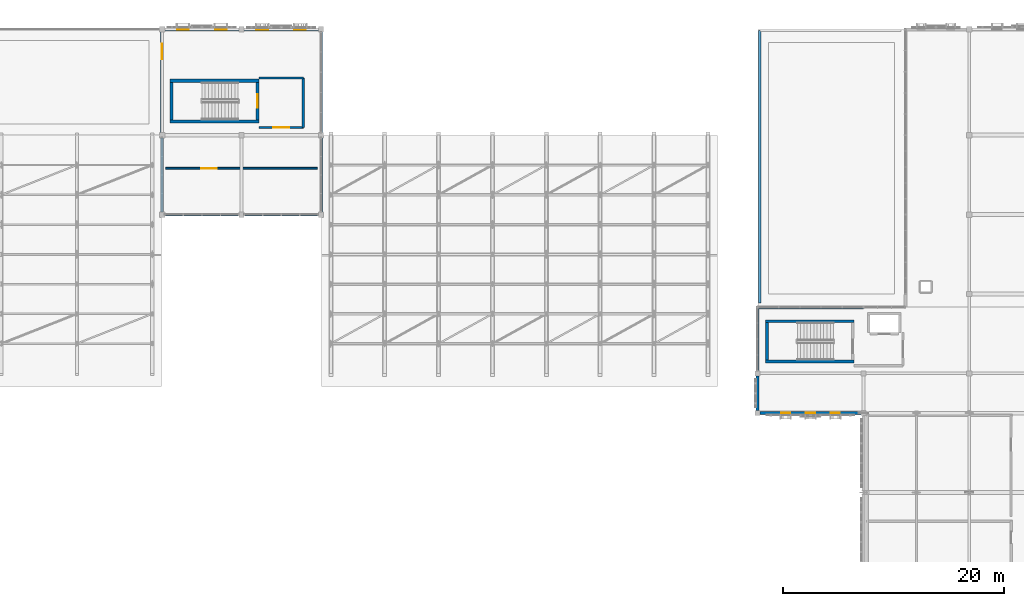
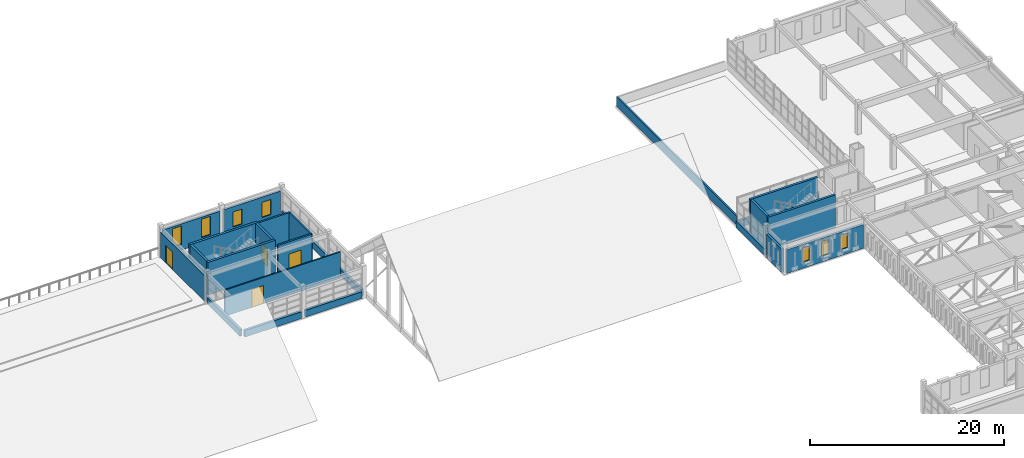
# One storey, part 50 of 79: 24 walls, 7 windows, 4 doors, 11 openings.
"""IFC4 building model written with IfcOpenShell, lengths in metres."""

from ifc_helpers import new_model, si_unit, direction, frame, frame_2d, origin, place, context, subcontext, project, spatial, rectangle, extrude, material, layer, layer_set, type_object, element, fill, save


model = new_model("IFC4")

# Units and contexts
model_context = context("Model", 3, precision=1e-05, world=origin(), true_north=direction((0.0, 1.0)))
body_context = subcontext(model_context, "Body", "Model", "MODEL_VIEW")
ifc_project = project(units=[si_unit("LENGTHUNIT", "METRE"), si_unit("AREAUNIT", "SQUARE_METRE"), si_unit("VOLUMEUNIT", "CUBIC_METRE"), si_unit("PLANEANGLEUNIT", "RADIAN"), si_unit("MASSUNIT", "GRAM", prefix="KILO")], contexts=[model_context])

# Site, building, storey
site_placement = place(None, origin())
site = spatial("IfcSite", under=ifc_project, at=site_placement, CompositionType="ELEMENT")
building_placement = place(site_placement, origin())
building = spatial("IfcBuilding", under=site, at=building_placement, Name="Nzembalo Square Collegiate School", CompositionType="ELEMENT")
storey_placement = place(building_placement, frame((0.0, 0.0, 9.52001953125)))
storey = spatial("IfcBuildingStorey", under=building, at=storey_placement, Name="L02", CompositionType="ELEMENT", Elevation=9.52001953125)

# Walls
ifc_material_1 = material(Name="Concrete C35/45", Category="concrete")
ifc_layer_1 = layer(ifc_material_1, 0.280029296875, Name="Concrete C35/45")
ifc_layer_set_1 = layer_set([ifc_layer_1], Name="Concrete C35/45")
wall_type_1 = type_object("IfcWallType", Name="SW03", PredefinedType="SHEAR", material=ifc_layer_set_1)
wall_1_placement = place(storey_placement, frame((77.659912109375, 105.800048828125, 0.0), z_axis=(0.0, 0.0, 1.0), x_axis=(0.0, 1.0, 0.0)))
element("IfcWall", 1, at=wall_1_placement, inside=storey, type_object=wall_type_1, Name="Core C3 stair shear wall W L02", PredefinedType="SHEAR", context=body_context, shape_type="SweptSolid", body=[
    extrude(rectangle(XDim=3.39990234375, YDim=0.280029296875, at=frame_2d((1.699951171875, 0.0))), origin(), (0.0, 0.0, 1.0), 4.080078125),
])
for number, where, z_axis, x_axis, name in (
    (2, (77.52001953125, 105.659912109375, 0.0), (0.0, 0.0, 1.0), (1.0, 0.0, 0.0), "Core C3 stair shear wall S L02"),
    (3, (77.52001953125, 109.340087890625, 0.0), (0.0, 0.0, 1.0), (1.0, 0.0, 0.0), "Core C3 stair shear wall N L02"),
):
    element("IfcWall", number, at=place(storey_placement, frame(where, z_axis=z_axis, x_axis=x_axis)), inside=storey, type_object=wall_type_1, Name=name, PredefinedType="SHEAR", context=body_context, shape_type="SweptSolid", body=[
        extrude(rectangle(XDim=8.06005859375, YDim=0.280029296875, at=frame_2d((4.030029296875, 0.0))), origin(), (0.0, 0.0, 1.0), 4.080078125),
    ])

# Wall, opening, door
wall_2_placement = place(storey_placement, frame((85.43994140625, 105.800048828125, 0.0), z_axis=(0.0, 0.0, 1.0), x_axis=(0.0, 1.0, 0.0)))
wall_2 = element("IfcWall", 4, at=wall_2_placement, inside=storey, type_object=wall_type_1, Name="Core C3 stair shear wall E L02", PredefinedType="SHEAR", context=body_context, shape_type="SweptSolid", body=[
    extrude(rectangle(XDim=3.39990234375, YDim=0.280029296875, at=frame_2d((1.699951171875, 0.0))), origin(), (0.0, 0.0, 1.0), 4.080078125),
])
opening_1_placement = place(wall_2_placement, frame((1.10009765625, 0.0, 0.0)))
opening_1 = element("IfcOpeningElement", 5, at=opening_1_placement, cuts=wall_2, Name="Opening FD-027", PredefinedType="OPENING", context=body_context, shape_type="SweptSolid", body=[
    extrude(rectangle(XDim=1.199951171875, YDim=2.199951171875, at=frame_2d((0.60009765625, 1.10009765625))), frame((0.0, 0.14990234375, 0.0), z_axis=(0.0, -1.0, 0.0), x_axis=(1.0, 0.0, 0.0)), (0.0, 0.0, 1.0), 0.300048828125),
])
ifc_material_2 = material(Name="Fire-rated steel acoustic door", Category="steel")
door_type_1 = type_object("IfcDoorType", Name="FD01", OperationType="NOTDEFINED", PredefinedType="DOOR", material=ifc_material_2)
door_1_placement = place(opening_1_placement, origin())
door_1 = element("IfcDoor", 6, at=door_1_placement, inside=storey, type_object=door_type_1, Name="Stair fire door FD-027", OperationType="SINGLE_SWING_LEFT", OverallHeight=2.199951171875, OverallWidth=1.199951171875, PredefinedType="DOOR", context=body_context, shape_type="SweptSolid", body=[
    extrude(rectangle(XDim=1.199951171875, YDim=2.199951171875, at=frame_2d((0.60009765625, 1.10009765625))), frame((0.0, 0.02490234375, 0.0), z_axis=(0.0, -1.0, 0.0), x_axis=(1.0, 0.0, 0.0)), (0.0, 0.0, 1.0), 0.050048828125),
])
fill(opening_1, door_1)

# Walls
ifc_material_3 = material(Name="Concrete C35/45", Category="concrete")
ifc_layer_2 = layer(ifc_material_3, 0.260009765625, Name="Concrete C35/45")
ifc_layer_set_2 = layer_set([ifc_layer_2], Name="Concrete C35/45")
wall_type_2 = type_object("IfcWallType", Name="SW04", PredefinedType="SHEAR", material=ifc_layer_set_2)
wall_3_placement = place(storey_placement, frame((131.669921875, 84.0, 0.0), z_axis=(0.0, 0.0, 1.0), x_axis=(0.0, 1.0, 0.0)))
element("IfcWall", 7, at=wall_3_placement, inside=storey, type_object=wall_type_2, Name="Core C4 stair shear wall W L02", PredefinedType="SHEAR", context=body_context, shape_type="SweptSolid", body=[
    extrude(rectangle(XDim=3.39990234375, YDim=0.260009765625, at=frame_2d((1.699951171875, 0.0))), origin(), (0.0, 0.0, 1.0), 4.080078125),
])
for number, where, z_axis, x_axis, name in (
    (8, (131.5400390625, 83.8701171875, 0.0), (0.0, 0.0, 1.0), (1.0, 0.0, 0.0), "Core C4 stair shear wall S L02"),
    (9, (131.5400390625, 87.530029296875, 0.0), (0.0, 0.0, 1.0), (1.0, 0.0, 0.0), "Core C4 stair shear wall N L02"),
):
    element("IfcWall", number, at=place(storey_placement, frame(where, z_axis=z_axis, x_axis=x_axis)), inside=storey, type_object=wall_type_2, Name=name, PredefinedType="SHEAR", context=body_context, shape_type="SweptSolid", body=[
        extrude(rectangle(XDim=8.02001953125, YDim=0.260009765625, at=frame_2d((4.010009765625, 0.0))), origin(), (0.0, 0.0, 1.0), 4.080078125),
    ])

# Wall, openings, windows
ifc_material_4 = material(Name="Concrete C30/37", Category="concrete")
ifc_layer_3 = layer(ifc_material_4, 0.284912109375, Name="Concrete C30/37")
ifc_layer_set_3 = layer_set([ifc_layer_3], Name="Concrete C30/37")
wall_type_3 = type_object("IfcWallType", Name="W05", PredefinedType="SOLIDWALL", material=ifc_layer_set_3)
wall_4_placement = place(storey_placement, frame((131.0419921875, 79.199951171875, 0.0), z_axis=(0.0, 0.0, 1.0), x_axis=(1.0, 0.0, 0.0)))
wall_4 = element("IfcWall", 10, at=wall_4_placement, inside=storey, type_object=wall_type_3, Name="Exterior wall W05 L02", PredefinedType="SOLIDWALL", context=body_context, shape_type="SweptSolid", body=[
    extrude(rectangle(XDim=9.115966796875, YDim=0.284912109375, at=frame_2d((4.55810546875, 0.0))), origin(), (0.0, 0.0, 1.0), 2.97900390625),
])
opening_2_placement = place(wall_4_placement, frame((1.884033203125, 0.0, 0.75)))
opening_2 = element("IfcOpeningElement", 11, at=opening_2_placement, cuts=wall_4, Name="Opening WN-L02-408", PredefinedType="OPENING", context=body_context, shape_type="SweptSolid", body=[
    extrude(rectangle(XDim=0.820068359375, YDim=1.820068359375, at=frame_2d((0.41015625, 0.91015625))), frame((0.0, 0.15234375, 0.0), z_axis=(0.0, -1.0, 0.0), x_axis=(1.0, 0.0, 0.0)), (0.0, 0.0, 1.0), 0.304931640625),
])
opening_3_placement = place(wall_4_placement, frame((4.14794921875, 0.0, 0.75)))
opening_3 = element("IfcOpeningElement", 12, at=opening_3_placement, cuts=wall_4, Name="Opening WN-L02-409", PredefinedType="OPENING", context=body_context, shape_type="SweptSolid", body=[
    extrude(rectangle(XDim=0.820068359375, YDim=1.820068359375, at=frame_2d((0.41015625, 0.91015625))), frame((0.0, 0.15234375, 0.0), z_axis=(0.0, -1.0, 0.0), x_axis=(1.0, 0.0, 0.0)), (0.0, 0.0, 1.0), 0.304931640625),
])
opening_4_placement = place(wall_4_placement, frame((6.412109375, 0.0, 0.75)))
opening_4 = element("IfcOpeningElement", 13, at=opening_4_placement, cuts=wall_4, Name="Opening WN-L02-410", PredefinedType="OPENING", context=body_context, shape_type="SweptSolid", body=[
    extrude(rectangle(XDim=0.820068359375, YDim=1.820068359375, at=frame_2d((0.41015625, 0.91015625))), frame((0.0, 0.15234375, 0.0), z_axis=(0.0, -1.0, 0.0), x_axis=(1.0, 0.0, 0.0)), (0.0, 0.0, 1.0), 0.304931640625),
])
ifc_material_5 = material(Name="Powder-coated aluminium and low-E double glazing", Category="aluminium")
window_type_1 = type_object("IfcWindowType", Name="WN39", PartitioningType="SINGLE_PANEL", PredefinedType="WINDOW", material=ifc_material_5)
window_1_placement = place(opening_2_placement, origin())
window_1 = element("IfcWindow", 14, at=window_1_placement, inside=storey, type_object=window_type_1, Name="Lancet window WN-L02-408", OverallHeight=1.820068359375, OverallWidth=0.820068359375, PartitioningType="SINGLE_PANEL", PredefinedType="WINDOW", context=body_context, shape_type="SweptSolid", body=[
    extrude(rectangle(XDim=0.820068359375, YDim=1.820068359375, at=frame_2d((0.41015625, 0.91015625))), frame((0.0, 0.030029296875, 0.0), z_axis=(0.0, -1.0, 0.0), x_axis=(1.0, 0.0, 0.0)), (0.0, 0.0, 1.0), 0.06005859375),
])
fill(opening_2, window_1)
window_2_placement = place(opening_3_placement, origin())
window_2 = element("IfcWindow", 15, at=window_2_placement, inside=storey, type_object=window_type_1, Name="Lancet window WN-L02-409", OverallHeight=1.820068359375, OverallWidth=0.820068359375, PartitioningType="SINGLE_PANEL", PredefinedType="WINDOW", context=body_context, shape_type="SweptSolid", body=[
    extrude(rectangle(XDim=0.820068359375, YDim=1.820068359375, at=frame_2d((0.41015625, 0.91015625))), frame((0.0, 0.030029296875, 0.0), z_axis=(0.0, -1.0, 0.0), x_axis=(1.0, 0.0, 0.0)), (0.0, 0.0, 1.0), 0.06005859375),
])
fill(opening_3, window_2)
window_3_placement = place(opening_4_placement, origin())
window_3 = element("IfcWindow", 16, at=window_3_placement, inside=storey, type_object=window_type_1, Name="Lancet window WN-L02-410", OverallHeight=1.820068359375, OverallWidth=0.820068359375, PartitioningType="SINGLE_PANEL", PredefinedType="WINDOW", context=body_context, shape_type="SweptSolid", body=[
    extrude(rectangle(XDim=0.820068359375, YDim=1.820068359375, at=frame_2d((0.41015625, 0.91015625))), frame((0.0, 0.030029296875, 0.0), z_axis=(0.0, -1.0, 0.0), x_axis=(1.0, 0.0, 0.0)), (0.0, 0.0, 1.0), 0.06005859375),
])
fill(opening_4, window_3)

# Walls
wall_5_placement = place(storey_placement, frame((130.800048828125, 88.800048828125, 0.0), z_axis=(0.0, 0.0, 1.0), x_axis=(1.0, 0.0, 0.0)))
element("IfcWall", 17, at=wall_5_placement, inside=storey, type_object=wall_type_3, Name="Spandrel wall W05 L02", PredefinedType="SOLIDWALL", context=body_context, shape_type="SweptSolid", body=[
    extrude(rectangle(XDim=9.599853515625, YDim=0.284912109375, at=frame_2d((4.7998046875, 0.0))), origin(), (0.0, 0.0, 1.0), 0.85009765625),
])
for number, where, z_axis, x_axis, name in (
    (18, (91.199951171875, 97.44189453125, 0.0), (0.0, 0.0, 1.0), (0.0, 1.0, 0.0), "Spandrel wall W05 L02"),
    (19, (77.0419921875, 97.199951171875, 0.0), (0.0, 0.0, 1.0), (1.0, 0.0, 0.0), "Spandrel wall W05 L02"),
    (20, (76.800048828125, 97.44189453125, 0.0), (0.0, 0.0, 1.0), (0.0, 1.0, 0.0), "Spandrel wall W05 L02"),
):
    element("IfcWall", number, at=place(storey_placement, frame(where, z_axis=z_axis, x_axis=x_axis)), inside=storey, type_object=wall_type_3, Name=name, PredefinedType="SOLIDWALL", context=body_context, shape_type="SweptSolid", body=[
        extrude(rectangle(XDim=6.716064453125, YDim=0.284912109375, at=frame_2d((3.35791015625, 0.0))), origin(), (0.0, 0.0, 1.0), 0.85009765625),
    ])

# Wall, openings, windows
wall_6_placement = place(storey_placement, frame((77.0419921875, 114.0, 0.0), z_axis=(0.0, 0.0, 1.0), x_axis=(1.0, 0.0, 0.0)))
wall_6 = element("IfcWall", 21, at=wall_6_placement, inside=storey, type_object=wall_type_3, Name="Exterior wall W05 L02", PredefinedType="SOLIDWALL", context=body_context, shape_type="SweptSolid", body=[
    extrude(rectangle(XDim=6.716064453125, YDim=0.284912109375, at=frame_2d((3.35791015625, 0.0))), origin(), (0.0, 0.0, 1.0), 3.299072265625),
])
opening_5_placement = place(wall_6_placement, frame((1.111572265625, 0.0, 0.75)))
opening_5 = element("IfcOpeningElement", 22, at=opening_5_placement, cuts=wall_6, Name="Opening WN-L02-528", PredefinedType="OPENING", context=body_context, shape_type="SweptSolid", body=[
    extrude(rectangle(XDim=1.050048828125, YDim=2.300048828125, at=frame_2d((0.52490234375, 1.14990234375))), frame((0.0, 0.15234375, 0.0), z_axis=(0.0, -1.0, 0.0), x_axis=(1.0, 0.0, 0.0)), (0.0, 0.0, 1.0), 0.304931640625),
])
opening_6_placement = place(wall_6_placement, frame((4.554443359375, 0.0, 0.75)))
opening_6 = element("IfcOpeningElement", 23, at=opening_6_placement, cuts=wall_6, Name="Opening WN-L02-529", PredefinedType="OPENING", context=body_context, shape_type="SweptSolid", body=[
    extrude(rectangle(XDim=1.050048828125, YDim=2.300048828125, at=frame_2d((0.52490234375, 1.14990234375))), frame((0.0, 0.15234375, 0.0), z_axis=(0.0, -1.0, 0.0), x_axis=(1.0, 0.0, 0.0)), (0.0, 0.0, 1.0), 0.304931640625),
])
ifc_material_6 = material(Name="Powder-coated aluminium and low-E double glazing", Category="aluminium")
window_type_2 = type_object("IfcWindowType", Name="WN11", PartitioningType="SINGLE_PANEL", PredefinedType="WINDOW", material=ifc_material_6)
window_4_placement = place(opening_5_placement, origin())
window_4 = element("IfcWindow", 24, at=window_4_placement, inside=storey, type_object=window_type_2, Name="Lancet window WN-L02-528", OverallHeight=2.300048828125, OverallWidth=1.050048828125, PartitioningType="SINGLE_PANEL", PredefinedType="WINDOW", context=body_context, shape_type="SweptSolid", body=[
    extrude(rectangle(XDim=1.050048828125, YDim=2.300048828125, at=frame_2d((0.52490234375, 1.14990234375))), frame((0.0, 0.030029296875, 0.0), z_axis=(0.0, -1.0, 0.0), x_axis=(1.0, 0.0, 0.0)), (0.0, 0.0, 1.0), 0.06005859375),
])
fill(opening_5, window_4)
window_5_placement = place(opening_6_placement, origin())
window_5 = element("IfcWindow", 25, at=window_5_placement, inside=storey, type_object=window_type_2, Name="Lancet window WN-L02-529", OverallHeight=2.300048828125, OverallWidth=1.050048828125, PartitioningType="SINGLE_PANEL", PredefinedType="WINDOW", context=body_context, shape_type="SweptSolid", body=[
    extrude(rectangle(XDim=1.050048828125, YDim=2.300048828125, at=frame_2d((0.52490234375, 1.14990234375))), frame((0.0, 0.030029296875, 0.0), z_axis=(0.0, -1.0, 0.0), x_axis=(1.0, 0.0, 0.0)), (0.0, 0.0, 1.0), 0.06005859375),
])
fill(opening_6, window_5)

# Walls
ifc_material_7 = material(Name="Concrete C30/37", Category="concrete")
ifc_layer_4 = layer(ifc_material_7, 0.264892578125, Name="Concrete C30/37")
ifc_layer_set_4 = layer_set([ifc_layer_4], Name="Concrete C30/37")
wall_type_4 = type_object("IfcWallType", Name="W06", PredefinedType="SOLIDWALL", material=ifc_layer_set_4)
wall_7_placement = place(storey_placement, frame((130.800048828125, 79.44189453125, 0.0), z_axis=(0.0, 0.0, 1.0), x_axis=(0.0, 1.0, 0.0)))
element("IfcWall", 26, at=wall_7_placement, inside=storey, type_object=wall_type_4, Name="Exterior wall W06 L02", PredefinedType="SOLIDWALL", context=body_context, shape_type="SweptSolid", body=[
    extrude(rectangle(XDim=3.1162109375, YDim=0.264892578125, at=frame_2d((1.55810546875, 0.0))), origin(), (0.0, 0.0, 1.0), 2.97900390625),
])
wall_8_placement = place(storey_placement, frame((130.800048828125, 83.0419921875, 0.0), z_axis=(0.0, 0.0, 1.0), x_axis=(0.0, 1.0, 0.0)))
element("IfcWall", 27, at=wall_8_placement, inside=storey, type_object=wall_type_4, Name="Spandrel wall W06 L02", PredefinedType="SOLIDWALL", context=body_context, shape_type="SweptSolid", body=[
    extrude(rectangle(XDim=5.758056640625, YDim=0.264892578125, at=frame_2d((2.87890625, 0.0))), origin(), (0.0, 0.0, 1.0), 0.85009765625),
])
wall_9_placement = place(storey_placement, frame((91.199951171875, 104.64208984375, 0.0), z_axis=(0.0, 0.0, 1.0), x_axis=(0.0, 1.0, 0.0)))
element("IfcWall", 28, at=wall_9_placement, inside=storey, type_object=wall_type_4, Name="Spandrel wall W06 L02", PredefinedType="SOLIDWALL", context=body_context, shape_type="SweptSolid", body=[
    extrude(rectangle(XDim=9.115966796875, YDim=0.264892578125, at=frame_2d((4.55810546875, 0.0))), origin(), (0.0, 0.0, 1.0), 0.85009765625),
])
wall_10_placement = place(storey_placement, frame((84.241943359375, 97.199951171875, 0.0), z_axis=(0.0, 0.0, 1.0), x_axis=(1.0, 0.0, 0.0)))
element("IfcWall", 29, at=wall_10_placement, inside=storey, type_object=wall_type_4, Name="Spandrel wall W06 L02", PredefinedType="SOLIDWALL", context=body_context, shape_type="SweptSolid", body=[
    extrude(rectangle(XDim=6.716064453125, YDim=0.264892578125, at=frame_2d((3.35791015625, 0.0))), origin(), (0.0, 0.0, 1.0), 0.85009765625),
])

# Wall, opening, door
wall_11_placement = place(storey_placement, frame((76.800048828125, 104.64208984375, 0.0), z_axis=(0.0, 0.0, 1.0), x_axis=(0.0, 1.0, 0.0)))
wall_11 = element("IfcWall", 30, at=wall_11_placement, inside=storey, type_object=wall_type_4, Name="Exterior wall W06 L02", PredefinedType="SOLIDWALL", context=body_context, shape_type="SweptSolid", body=[
    extrude(rectangle(XDim=9.115966796875, YDim=0.264892578125, at=frame_2d((4.55810546875, 0.0))), origin(), (0.0, 0.0, 1.0), 3.218994140625),
])
opening_7_placement = place(wall_11_placement, frame((6.657958984375, 0.0, 0.0)))
opening_7 = element("IfcOpeningElement", 31, at=opening_7_placement, cuts=wall_11, Name="Opening TD-202", PredefinedType="OPENING", context=body_context, shape_type="SweptSolid", body=[
    extrude(rectangle(XDim=1.39990234375, YDim=2.199951171875, at=frame_2d((0.699951171875, 1.10009765625))), frame((0.0, 0.142578125, 0.0), z_axis=(0.0, -1.0, 0.0), x_axis=(1.0, 0.0, 0.0)), (0.0, 0.0, 1.0), 0.284912109375),
])
ifc_material_8 = material(Name="Powder-coated steel and safety glass", Category="steel")
door_type_2 = type_object("IfcDoorType", Name="TD02", OperationType="DOUBLE_DOOR_SINGLE_SWING", PredefinedType="DOOR", material=ifc_material_8)
door_2_placement = place(opening_7_placement, origin())
door_2 = element("IfcDoor", 32, at=door_2_placement, inside=storey, type_object=door_type_2, Name="Exterior door TD-202", OperationType="DOUBLE_DOOR_SINGLE_SWING", OverallHeight=2.199951171875, OverallWidth=1.39990234375, PredefinedType="DOOR", context=body_context, shape_type="SweptSolid", body=[
    extrude(rectangle(XDim=1.39990234375, YDim=2.199951171875, at=frame_2d((0.699951171875, 1.10009765625))), frame((0.0, 0.02490234375, 0.0), z_axis=(0.0, -1.0, 0.0), x_axis=(1.0, 0.0, 0.0)), (0.0, 0.0, 1.0), 0.050048828125),
])
fill(opening_7, door_2)

# Wall, openings, windows
wall_12_placement = place(storey_placement, frame((84.241943359375, 114.0, 0.0), z_axis=(0.0, 0.0, 1.0), x_axis=(1.0, 0.0, 0.0)))
wall_12 = element("IfcWall", 33, at=wall_12_placement, inside=storey, type_object=wall_type_4, Name="Exterior wall W06 L02", PredefinedType="SOLIDWALL", context=body_context, shape_type="SweptSolid", body=[
    extrude(rectangle(XDim=6.716064453125, YDim=0.264892578125, at=frame_2d((3.35791015625, 0.0))), origin(), (0.0, 0.0, 1.0), 3.299072265625),
])
opening_8_placement = place(wall_12_placement, frame((1.111572265625, 0.0, 0.75)))
opening_8 = element("IfcOpeningElement", 34, at=opening_8_placement, cuts=wall_12, Name="Opening WN-L02-530", PredefinedType="OPENING", context=body_context, shape_type="SweptSolid", body=[
    extrude(rectangle(XDim=1.050048828125, YDim=1.89990234375, at=frame_2d((0.52490234375, 0.949951171875))), frame((0.0, 0.142578125, 0.0), z_axis=(0.0, -1.0, 0.0), x_axis=(1.0, 0.0, 0.0)), (0.0, 0.0, 1.0), 0.284912109375),
])
opening_9_placement = place(wall_12_placement, frame((4.554443359375, 0.0, 0.75)))
opening_9 = element("IfcOpeningElement", 35, at=opening_9_placement, cuts=wall_12, Name="Opening WN-L02-531", PredefinedType="OPENING", context=body_context, shape_type="SweptSolid", body=[
    extrude(rectangle(XDim=1.050048828125, YDim=1.89990234375, at=frame_2d((0.52490234375, 0.949951171875))), frame((0.0, 0.142578125, 0.0), z_axis=(0.0, -1.0, 0.0), x_axis=(1.0, 0.0, 0.0)), (0.0, 0.0, 1.0), 0.284912109375),
])
ifc_material_9 = material(Name="Powder-coated aluminium and low-E double glazing", Category="aluminium")
window_type_3 = type_object("IfcWindowType", Name="WN13", PartitioningType="SINGLE_PANEL", PredefinedType="WINDOW", material=ifc_material_9)
window_6_placement = place(opening_8_placement, origin())
window_6 = element("IfcWindow", 36, at=window_6_placement, inside=storey, type_object=window_type_3, Name="Lancet window WN-L02-530", OverallHeight=1.89990234375, OverallWidth=1.050048828125, PartitioningType="SINGLE_PANEL", PredefinedType="WINDOW", context=body_context, shape_type="SweptSolid", body=[
    extrude(rectangle(XDim=1.050048828125, YDim=1.89990234375, at=frame_2d((0.52490234375, 0.949951171875))), frame((0.0, 0.030029296875, 0.0), z_axis=(0.0, -1.0, 0.0), x_axis=(1.0, 0.0, 0.0)), (0.0, 0.0, 1.0), 0.06005859375),
])
fill(opening_8, window_6)
window_7_placement = place(opening_9_placement, origin())
window_7 = element("IfcWindow", 37, at=window_7_placement, inside=storey, type_object=window_type_3, Name="Lancet window WN-L02-531", OverallHeight=1.89990234375, OverallWidth=1.050048828125, PartitioningType="SINGLE_PANEL", PredefinedType="WINDOW", context=body_context, shape_type="SweptSolid", body=[
    extrude(rectangle(XDim=1.050048828125, YDim=1.89990234375, at=frame_2d((0.52490234375, 0.949951171875))), frame((0.0, 0.030029296875, 0.0), z_axis=(0.0, -1.0, 0.0), x_axis=(1.0, 0.0, 0.0)), (0.0, 0.0, 1.0), 0.06005859375),
])
fill(opening_9, window_7)

# Wall
ifc_material_10 = material(Name="Concrete blockwork C25/30", Category="masonry")
ifc_layer_5 = layer(ifc_material_10, 0.199951171875, Name="Concrete blockwork C25/30")
ifc_layer_set_5 = layer_set([ifc_layer_5], Name="Concrete blockwork C25/30")
wall_type_5 = type_object("IfcWallType", Name="W11", PredefinedType="PARTITIONING", material=ifc_layer_set_5)
wall_13_placement = place(storey_placement, frame((89.60009765625, 105.10009765625, 0.0), z_axis=(0.0, 0.0, 1.0), x_axis=(0.0, 1.0, 0.0)))
element("IfcWall", 38, at=wall_13_placement, inside=storey, type_object=wall_type_5, Name="Core C3 EI 60 lobby wall E L02", PredefinedType="PARTITIONING", context=body_context, shape_type="SweptSolid", body=[
    extrude(rectangle(XDim=4.5, YDim=0.199951171875, at=frame_2d((2.25, 0.0))), origin(), (0.0, 0.0, 1.0), 3.75390625),
])

# Wall, opening, door
wall_14_placement = place(storey_placement, frame((85.580078125, 105.10009765625, 0.0), z_axis=(0.0, 0.0, 1.0), x_axis=(1.0, 0.0, 0.0)))
wall_14 = element("IfcWall", 39, at=wall_14_placement, inside=storey, type_object=wall_type_5, Name="Core C3 EI 60 lobby wall S L02", PredefinedType="PARTITIONING", context=body_context, shape_type="SweptSolid", body=[
    extrude(rectangle(XDim=4.02001953125, YDim=0.199951171875, at=frame_2d((2.010009765625, 0.0))), origin(), (0.0, 0.0, 1.0), 3.75390625),
])
opening_10_placement = place(wall_14_placement, frame((1.284912109375, 0.0, 0.0)))
opening_10 = element("IfcOpeningElement", 40, at=opening_10_placement, cuts=wall_14, Name="Opening FD-028", PredefinedType="OPENING", context=body_context, shape_type="SweptSolid", body=[
    extrude(rectangle(XDim=1.449951171875, YDim=2.199951171875, at=frame_2d((0.72509765625, 1.10009765625))), frame((0.0, 0.10986328125, 0.0), z_axis=(0.0, -1.0, 0.0), x_axis=(1.0, 0.0, 0.0)), (0.0, 0.0, 1.0), 0.219970703125),
])
ifc_material_11 = material(Name="Fire-rated double lobby door")
door_type_3 = type_object("IfcDoorType", Name="FD02", OperationType="DOUBLE_DOOR_SINGLE_SWING", PredefinedType="DOOR", material=ifc_material_11)
door_3_placement = place(opening_10_placement, frame((1.449951171875, 0.0, 0.0), z_axis=(0.0, 0.0, 1.0), x_axis=(-1.0, 0.0, 0.0)))
door_3 = element("IfcDoor", 41, at=door_3_placement, inside=storey, type_object=door_type_3, Name="Protected lobby fire door FD-028", OperationType="DOUBLE_DOOR_SINGLE_SWING", OverallHeight=2.199951171875, OverallWidth=1.449951171875, PredefinedType="DOOR", context=body_context, shape_type="SweptSolid", body=[
    extrude(rectangle(XDim=1.449951171875, YDim=2.199951171875, at=frame_2d((0.72509765625, 1.10009765625))), frame((0.0, 0.02490234375, 0.0), z_axis=(0.0, -1.0, 0.0), x_axis=(1.0, 0.0, 0.0)), (0.0, 0.0, 1.0), 0.050048828125),
])
fill(opening_10, door_3)

# Wall
wall_15_placement = place(storey_placement, frame((85.580078125, 109.60009765625, 0.0), z_axis=(0.0, 0.0, 1.0), x_axis=(1.0, 0.0, 0.0)))
element("IfcWall", 42, at=wall_15_placement, inside=storey, type_object=wall_type_5, Name="Core C3 EI 60 lobby wall N L02", PredefinedType="PARTITIONING", context=body_context, shape_type="SweptSolid", body=[
    extrude(rectangle(XDim=4.02001953125, YDim=0.199951171875, at=frame_2d((2.010009765625, 0.0))), origin(), (0.0, 0.0, 1.0), 3.75390625),
])

# Wall, opening, door
ifc_material_12 = material(Name="Acoustic double-board stud")
ifc_layer_6 = layer(ifc_material_12, 0.14990234375, Name="Acoustic double-board stud")
ifc_layer_set_6 = layer_set([ifc_layer_6], Name="Acoustic double-board stud")
wall_type_6 = type_object("IfcWallType", Name="W17", PredefinedType="PARTITIONING", material=ifc_layer_set_6)
wall_16_placement = place(storey_placement, frame((77.125, 101.39990234375, 0.0), z_axis=(0.0, 0.0, 1.0), x_axis=(1.0, 0.0, 0.0)))
wall_16 = element("IfcWall", 43, at=wall_16_placement, inside=storey, type_object=wall_type_6, Name="Interior partition W17 L02-029-N", PredefinedType="PARTITIONING", context=body_context, shape_type="SweptSolid", body=[
    extrude(rectangle(XDim=13.75, YDim=0.14990234375, at=frame_2d((6.875, 0.0))), origin(), (0.0, 0.0, 1.0), 3.299072265625),
])
opening_11_placement = place(wall_16_placement, frame((3.22998046875, 0.0, 0.0)))
opening_11 = element("IfcOpeningElement", 44, at=opening_11_placement, cuts=wall_16, Name="Opening D-L02-060", PredefinedType="OPENING", context=body_context, shape_type="SweptSolid", body=[
    extrude(rectangle(XDim=1.3798828125, YDim=2.280029296875, at=frame_2d((0.68994140625, 1.14013671875))), frame((0.0, 0.0849609375, 0.0), z_axis=(0.0, -1.0, 0.0), x_axis=(1.0, 0.0, 0.0)), (0.0, 0.0, 1.0), 0.169921875),
])
ifc_material_13 = material(Name="Wide art studio double door")
door_type_4 = type_object("IfcDoorType", Name="D21", OperationType="DOUBLE_DOOR_SINGLE_SWING", PredefinedType="DOOR", material=ifc_material_13)
door_4_placement = place(opening_11_placement, origin())
door_4 = element("IfcDoor", 45, at=door_4_placement, inside=storey, type_object=door_type_4, Name="Interior door D-L02-060 (Bridge Seminar Room 2H)", OperationType="DOUBLE_DOOR_SINGLE_SWING", OverallHeight=2.280029296875, OverallWidth=1.3798828125, PredefinedType="DOOR", context=body_context, shape_type="SweptSolid", body=[
    extrude(rectangle(XDim=1.3798828125, YDim=2.280029296875, at=frame_2d((0.68994140625, 1.14013671875))), frame((0.0, 0.02490234375, 0.0), z_axis=(0.0, -1.0, 0.0), x_axis=(1.0, 0.0, 0.0)), (0.0, 0.0, 1.0), 0.050048828125),
])
fill(opening_11, door_4)

# Wall
ifc_material_14 = material(Name="Concrete C30/37", Category="concrete")
ifc_layer_7 = layer(ifc_material_14, 0.18994140625, Name="Concrete C30/37")
ifc_layer_set_7 = layer_set([ifc_layer_7], Name="Concrete C30/37")
wall_type_7 = type_object("IfcWallType", Name="WP02", PredefinedType="PARAPET", material=ifc_layer_set_7)
wall_17_placement = place(storey_placement, frame((131.0, 113.89990234375, 0.0), z_axis=(0.0, 0.0, 1.0), x_axis=(0.0, -1.0, 0.0)))
element("IfcWall", 46, at=wall_17_placement, inside=storey, type_object=wall_type_7, Name="Roof parapet WP02-14", PredefinedType="PARAPET", context=body_context, shape_type="SweptSolid", body=[
    extrude(rectangle(XDim=24.699951171875, YDim=0.18994140625, at=frame_2d((12.35009765625, 0.0))), origin(), (0.0, 0.0, 1.0), 1.14990234375),
])

save(model, "model.ifc")
